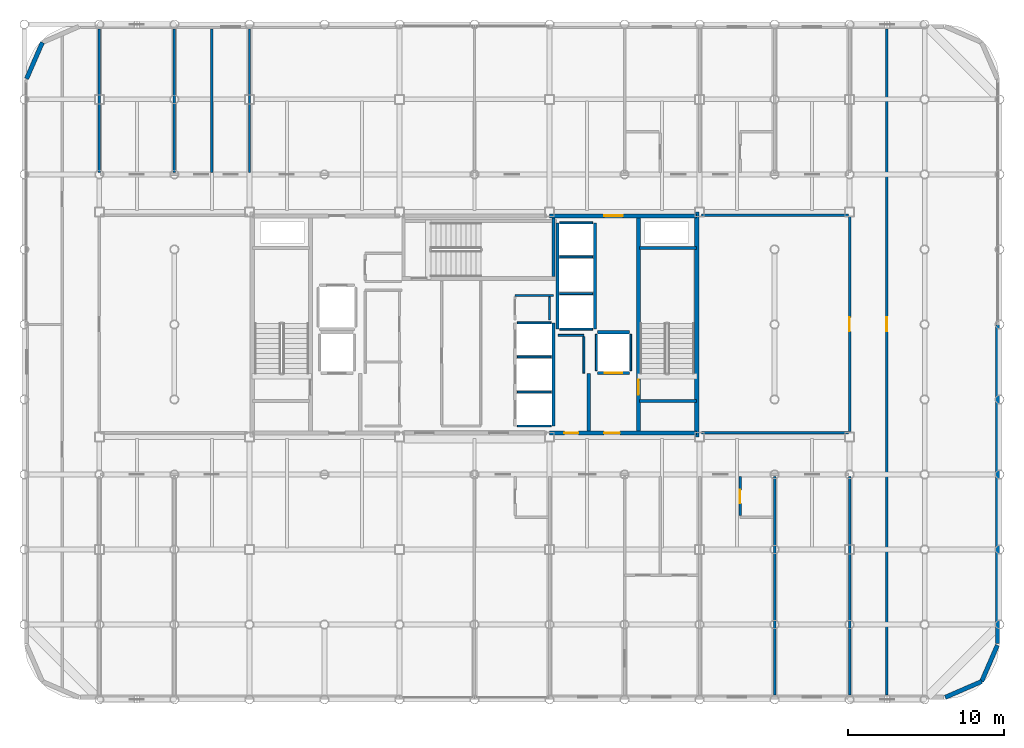
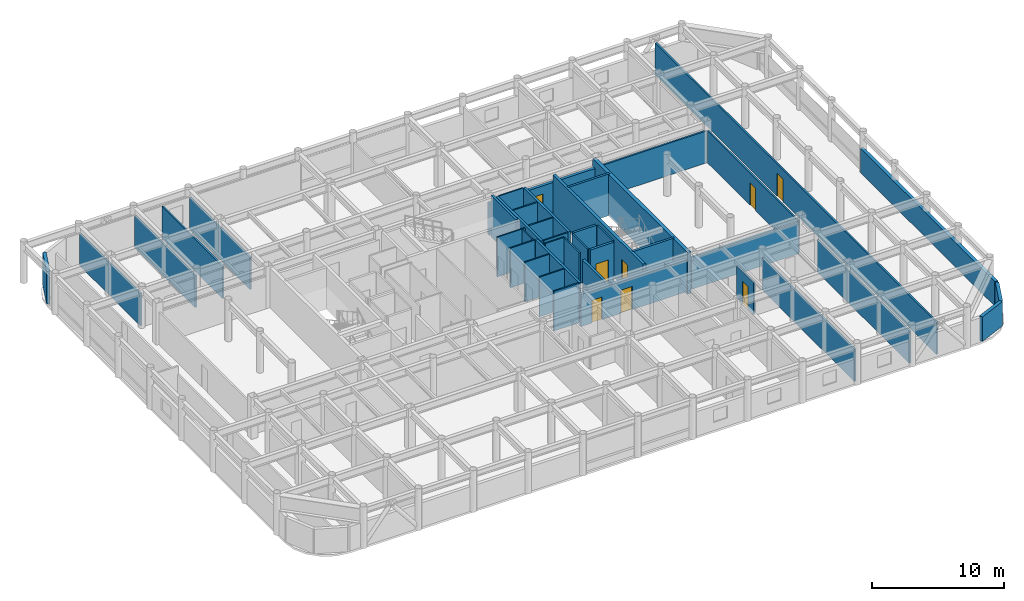
# One storey, part 19 of 22: 42 walls, 8 doors, 8 openings.
"""IFC4 building model written with IfcOpenShell, lengths in metres."""

from ifc_helpers import new_model, si_unit, direction, frame, frame_2d, origin, place, context, subcontext, project, spatial, rectangle, extrude, material, layer, layer_set, type_object, element, fill, save


model = new_model("IFC4")

# Units and contexts
model_context = context("Model", 3, precision=1e-05, world=origin(), true_north=direction((0.0, 1.0)))
body_context = subcontext(model_context, "Body", "Model", "MODEL_VIEW")
ifc_project = project(units=[si_unit("LENGTHUNIT", "METRE"), si_unit("AREAUNIT", "SQUARE_METRE"), si_unit("VOLUMEUNIT", "CUBIC_METRE"), si_unit("PLANEANGLEUNIT", "RADIAN"), si_unit("MASSUNIT", "GRAM", prefix="KILO")], contexts=[model_context])

# Site, building, storey
site_placement = place(None, origin())
site = spatial("IfcSite", under=ifc_project, at=site_placement, CompositionType="ELEMENT")
building_placement = place(site_placement, origin())
building = spatial("IfcBuilding", under=site, at=building_placement, Name="Kallvorn Hotel Tower", CompositionType="ELEMENT")
storey_placement = place(building_placement, frame((0.0, 0.0, 203.050048828125)))
storey = spatial("IfcBuildingStorey", under=building, at=storey_placement, Name="L50", CompositionType="ELEMENT", Elevation=203.050048828125)

# Wall
ifc_material_1 = material(Name="Concrete C50/60", Category="concrete")
ifc_layer_1 = layer(ifc_material_1, 0.300048828125)
ifc_layer_set_1 = layer_set([ifc_layer_1], Name="WL_CORE_300")
wall_type_1 = type_object("IfcWallType", Name="WL_CORE_300", PredefinedType="SHEAR", material=ifc_layer_set_1)
wall_1_placement = place(storey_placement, frame((14.215087890625, -7.199951171875, -0.179931640625), z_axis=(0.0, 0.0, 1.0), x_axis=(0.0, 1.0, 0.0)))
element("IfcWall", 1, at=wall_1_placement, inside=storey, type_object=wall_type_1, Name="L50 Core East Shear Wall", PredefinedType="SHEAR", context=body_context, shape_type="SweptSolid", body=[
    extrude(rectangle(XDim=14.39990234375, YDim=0.300048828125, at=frame_2d((7.199951171875, 0.0))), origin(), (0.0, 0.0, 1.0), 3.849853515625),
])

# Wall, opening, door
ifc_material_2 = material(Name="Fire-rated double-layer acoustic gypsum drywall EI 60")
ifc_layer_2 = layer(ifc_material_2, 0.159912109375)
ifc_layer_set_2 = layer_set([ifc_layer_2], Name="WL_DEMISE_160")
wall_type_2 = type_object("IfcWallType", Name="WL_DEMISE_160", PredefinedType="PARTITIONING", material=ifc_layer_set_2)
wall_2_placement = place(storey_placement, frame((16.989990234375, -12.235107421875, 0.0), z_axis=(0.0, 0.0, 1.0), x_axis=(0.0, 1.0, 0.0)))
wall_2 = element("IfcWall", 2, at=wall_2_placement, inside=storey, type_object=wall_type_2, Name="L50 Suite 5003 Superior Twin Room Partition", PredefinedType="PARTITIONING", context=body_context, shape_type="SweptSolid", body=[
    extrude(rectangle(XDim=2.51513671875, YDim=0.159912109375, at=frame_2d((1.257568359375, 0.0))), origin(), (0.0, 0.0, 1.0), 2.969970703125),
])
opening_1_placement = place(wall_2_placement, frame((0.784912109375, 0.0, 0.0)))
opening_1 = element("IfcOpeningElement", 3, at=opening_1_placement, cuts=wall_2, Name="Opening BD-I", PredefinedType="OPENING", context=body_context, shape_type="SweptSolid", body=[
    extrude(rectangle(XDim=0.860107421875, YDim=2.10009765625, at=frame_2d((0.43017578125, 1.050048828125))), frame((0.0, 0.094970703125, 0.0), z_axis=(0.0, -1.0, 0.0), x_axis=(1.0, 0.0, 0.0)), (0.0, 0.0, 1.0), 0.18994140625),
])
ifc_material_3 = material(Name="Solid-core walnut veneer fire-rated timber door leaf", Category="wood")
door_type_1 = type_object("IfcDoorType", Name="DR_BATH_860x2100", OperationType="NOTDEFINED", PredefinedType="DOOR", material=ifc_material_3)
door_1_placement = place(opening_1_placement, origin())
door_1 = element("IfcDoor", 4, at=door_1_placement, inside=storey, type_object=door_type_1, Name="L50 Suite 5003 En-Suite Bathroom Door", OperationType="SINGLE_SWING_LEFT", OverallHeight=2.10009765625, OverallWidth=0.860107421875, PredefinedType="DOOR", context=body_context, shape_type="SweptSolid", body=[
    extrude(rectangle(XDim=0.860107421875, YDim=2.10009765625, at=frame_2d((0.43017578125, 1.050048828125))), frame((0.0, 0.02490234375, 0.0), z_axis=(0.0, -1.0, 0.0), x_axis=(1.0, 0.0, 0.0)), (0.0, 0.0, 1.0), 0.050048828125),
])
fill(opening_1, door_1)

# Walls
wall_3_placement = place(storey_placement, frame((19.199951171875, -23.7099609375, 0.0), z_axis=(0.0, 0.0, 1.0), x_axis=(0.0, 1.0, 0.0)))
element("IfcWall", 5, at=wall_3_placement, inside=storey, type_object=wall_type_2, Name="L50 Suite 5003 Superior Twin Room Partition", PredefinedType="PARTITIONING", context=body_context, shape_type="SweptSolid", body=[
    extrude(rectangle(XDim=13.989990234375, YDim=0.159912109375, at=frame_2d((6.9951171875, 0.0))), origin(), (0.0, 0.0, 1.0), 2.969970703125),
])
ifc_material_4 = material(Name="Precast basalt-clad insulated concrete wall C40/50", Category="masonry")
ifc_layer_3 = layer(ifc_material_4, 0.280029296875)
ifc_layer_set_3 = layer_set([ifc_layer_3], Name="WL_EXT_LOGGIA_280")
wall_type_3 = type_object("IfcWallType", Name="WL_EXT_LOGGIA_280", PredefinedType="SOLIDWALL", material=ifc_layer_set_3)
wall_4_placement = place(storey_placement, frame((30.120849609375, -23.85791015625, 0.0), z_axis=(0.0, 0.0, 1.0), x_axis=(0.917060872934, 0.398747232384, 0.0)))
element("IfcWall", 6, at=wall_4_placement, inside=storey, type_object=wall_type_3, Name="L50 Rounded Corner Exterior Wall SE1", PredefinedType="SOLIDWALL", context=body_context, shape_type="SweptSolid", body=[
    extrude(rectangle(XDim=2.5361328125, YDim=0.280029296875, at=frame_2d((1.26806640625, 0.0))), origin(), (0.0, 0.0, 1.0), 2.27001953125),
])
wall_5_placement = place(storey_placement, frame((32.446533203125, -22.8466796875, 0.0), z_axis=(0.0, 0.0, 1.0), x_axis=(0.398792985289, 0.917040977756, 0.0)))
element("IfcWall", 7, at=wall_5_placement, inside=storey, type_object=wall_type_3, Name="L50 Rounded Corner Exterior Wall SE2", PredefinedType="SOLIDWALL", context=body_context, shape_type="SweptSolid", body=[
    extrude(rectangle(XDim=2.536376953125, YDim=0.280029296875, at=frame_2d((1.26806640625, 0.0))), origin(), (0.0, 0.0, 1.0), 2.27001953125),
])
wall_6_placement = place(storey_placement, frame((-27.646484375, 18.046630859375, 0.0), z_axis=(0.0, 0.0, 1.0), x_axis=(-0.398792985289, -0.917040977756, 0.0)))
element("IfcWall", 8, at=wall_6_placement, inside=storey, type_object=wall_type_3, Name="L50 Rounded Corner Exterior Wall NW2", PredefinedType="SOLIDWALL", context=body_context, shape_type="SweptSolid", body=[
    extrude(rectangle(XDim=2.536376953125, YDim=0.280029296875, at=frame_2d((1.26806640625, 0.0))), origin(), (0.0, 0.0, 1.0), 3.02001953125),
])
wall_7_placement = place(storey_placement, frame((33.4599609375, -20.39990234375, 0.0), z_axis=(0.0, 0.0, 1.0), x_axis=(0.0, 1.0, 0.0)))
element("IfcWall", 9, at=wall_7_placement, inside=storey, type_object=wall_type_3, Name="L50 Exterior Envelope Wall EW-L50-ES", PredefinedType="SOLIDWALL", context=body_context, shape_type="SweptSolid", body=[
    extrude(rectangle(XDim=20.3798828125, YDim=0.280029296875, at=frame_2d((10.18994140625, 0.0))), origin(), (0.0, 0.0, 1.0), 2.27001953125),
])
ifc_material_5 = material(Name="Concrete C40/50", Category="concrete")
ifc_layer_4 = layer(ifc_material_5, 0.219970703125)
ifc_layer_set_4 = layer_set([ifc_layer_4], Name="WL_FFL_220")
wall_type_4 = type_object("IfcWallType", Name="WL_FFL_220", PredefinedType="SOLIDWALL", material=ifc_layer_set_4)
wall_8_placement = place(storey_placement, frame((7.300048828125, -6.820068359375, 0.0), z_axis=(0.0, 0.0, 1.0), x_axis=(0.0, 1.0, 0.0)))
element("IfcWall", 10, at=wall_8_placement, inside=storey, type_object=wall_type_4, Name="L50 Firefighting Lobby East Divider Wall", PredefinedType="SOLIDWALL", context=body_context, shape_type="SweptSolid", body=[
    extrude(rectangle(XDim=3.670166015625, YDim=0.219970703125, at=frame_2d((1.8349609375, 0.0))), origin(), (0.0, 0.0, 1.0), 2.969970703125),
])
ifc_material_6 = material(Name="Concrete C40/50", Category="concrete")
ifc_layer_5 = layer(ifc_material_6, 0.199951171875)
ifc_layer_set_5 = layer_set([ifc_layer_5], Name="WL_HOIST_200")
wall_type_5 = type_object("IfcWallType", Name="WL_HOIST_200", PredefinedType="SOLIDWALL", material=ifc_layer_set_5)
for number, where, z_axis, x_axis, name in (
    (11, (10.550048828125, -4.89990234375, -0.179931640625), (0.0, 0.0, 1.0), (1.0, 0.0, 0.0), "L50 Stair ST2 South Wall"),
    (12, (10.550048828125, 4.89990234375, -0.179931640625), (0.0, 0.0, 1.0), (1.0, 0.0, 0.0), "L50 Stair ST2 North Wall"),
):
    element("IfcWall", number, at=place(storey_placement, frame(where, z_axis=z_axis, x_axis=x_axis)), inside=storey, type_object=wall_type_5, Name=name, PredefinedType="SOLIDWALL", context=body_context, shape_type="SweptSolid", body=[
        extrude(rectangle(XDim=3.64990234375, YDim=0.199951171875, at=frame_2d((1.824951171875, 0.0))), origin(), (0.0, 0.0, 1.0), 3.849853515625),
    ])
wall_9_placement = place(storey_placement, frame((5.06005859375, 3.080078125, -0.179931640625), z_axis=(0.0, 0.0, 1.0), x_axis=(0.0, 1.0, 0.0)))
element("IfcWall", 13, at=wall_9_placement, inside=storey, type_object=wall_type_5, Name="L50 Stair ST3 East Wall", PredefinedType="SOLIDWALL", context=body_context, shape_type="SweptSolid", body=[
    extrude(rectangle(XDim=3.739990234375, YDim=0.199951171875, at=frame_2d((1.8701171875, 0.0))), origin(), (0.0, 0.0, 1.0), 3.849853515625),
])
wall_10_placement = place(storey_placement, frame((5.050048828125, -6.5, 0.0), z_axis=(0.0, 0.0, 1.0), x_axis=(0.0, 1.0, 0.0)))
element("IfcWall", 14, at=wall_10_placement, inside=storey, type_object=wall_type_5, Name="L50 Lift Bank B3A Rear Shaft Wall", PredefinedType="SOLIDWALL", context=body_context, shape_type="SweptSolid", body=[
    extrude(rectangle(XDim=6.60009765625, YDim=0.199951171875, at=frame_2d((3.300048828125, 0.0))), origin(), (0.0, 0.0, 1.0), 3.669921875),
])
for number, where, z_axis, x_axis, name in (
    (15, (7.699951171875, -0.300048828125, 0.0), (0.0, 0.0, 1.0), (0.0, 1.0, 0.0), "L50 Lift Bank OBS Landing Wall"),
    (16, (5.300048828125, -0.300048828125, 0.0), (0.0, 0.0, 1.0), (0.0, 1.0, 0.0), "L50 Lift Bank OBS Rear Shaft Wall"),
):
    element("IfcWall", number, at=place(storey_placement, frame(where, z_axis=z_axis, x_axis=x_axis)), inside=storey, type_object=wall_type_5, Name=name, PredefinedType="SOLIDWALL", context=body_context, shape_type="SweptSolid", body=[
        extrude(rectangle(XDim=6.800048828125, YDim=0.199951171875, at=frame_2d((3.39990234375, 0.0))), origin(), (0.0, 0.0, 1.0), 3.669921875),
    ])

# Wall, opening, door
wall_11_placement = place(storey_placement, frame((7.8798828125, -3.10009765625, 0.0), z_axis=(0.0, 0.0, 1.0), x_axis=(1.0, 0.0, 0.0)))
wall_11 = element("IfcWall", 17, at=wall_11_placement, inside=storey, type_object=wall_type_5, Name="L50 FL-2 Landing Wall", PredefinedType="SOLIDWALL", context=body_context, shape_type="SweptSolid", body=[
    extrude(rectangle(XDim=2.0400390625, YDim=0.199951171875, at=frame_2d((1.02001953125, 0.0))), origin(), (0.0, 0.0, 1.0), 3.669921875),
])
opening_2_placement = place(wall_11_placement, frame((0.469970703125, 0.0, 0.0)))
opening_2 = element("IfcOpeningElement", 18, at=opening_2_placement, cuts=wall_11, Name="Opening LD-FL-2", PredefinedType="OPENING", context=body_context, shape_type="SweptSolid", body=[
    extrude(rectangle(XDim=1.10009765625, YDim=2.199951171875, at=frame_2d((0.550048828125, 1.10009765625))), frame((0.0, 0.114990234375, 0.0), z_axis=(0.0, -1.0, 0.0), x_axis=(1.0, 0.0, 0.0)), (0.0, 0.0, 1.0), 0.22998046875),
])
ifc_material_7 = material(Name="Brushed stainless-steel automatic sliding lift landing door", Category="steel")
door_type_2 = type_object("IfcDoorType", Name="LD_PASS_1100x2200", OperationType="SLIDING_TO_LEFT", PredefinedType="DOOR", material=ifc_material_7)
door_2_placement = place(opening_2_placement, origin())
door_2 = element("IfcDoor", 19, at=door_2_placement, inside=storey, type_object=door_type_2, Name="L50 Lift Landing Sliding Door LD-FL-2", OperationType="SLIDING_TO_LEFT", OverallHeight=2.199951171875, OverallWidth=1.10009765625, PredefinedType="DOOR", context=body_context, shape_type="SweptSolid", body=[
    extrude(rectangle(XDim=1.10009765625, YDim=2.199951171875, at=frame_2d((0.550048828125, 1.10009765625))), frame((0.0, 0.02490234375, 0.0), z_axis=(0.0, -1.0, 0.0), x_axis=(1.0, 0.0, 0.0)), (0.0, 0.0, 1.0), 0.050048828125),
])
fill(opening_2, door_2)

# Walls
wall_12_placement = place(storey_placement, frame((7.8798828125, -0.5, 0.0), z_axis=(0.0, 0.0, 1.0), x_axis=(1.0, 0.0, 0.0)))
element("IfcWall", 20, at=wall_12_placement, inside=storey, type_object=wall_type_5, Name="L50 FL-2 Rear Shaft Wall", PredefinedType="SOLIDWALL", context=body_context, shape_type="SweptSolid", body=[
    extrude(rectangle(XDim=2.0400390625, YDim=0.199951171875, at=frame_2d((1.02001953125, 0.0))), origin(), (0.0, 0.0, 1.0), 3.669921875),
])
ifc_material_8 = material(Name="Fire-rated double-layer acoustic gypsum drywall EI 60")
ifc_layer_6 = layer(ifc_material_8, 0.1201171875)
ifc_layer_set_6 = layer_set([ifc_layer_6], Name="WL_INT_120")
wall_type_6 = type_object("IfcWallType", Name="WL_INT_120", PredefinedType="PARTITIONING", material=ifc_layer_set_6)
for number, where, z_axis, x_axis, name in (
    (21, (2.739990234375, -6.5, 0.0), (0.0, 0.0, 1.0), (1.0, 0.0, 0.0), "L50 Lift Bank B3A South Closure Wall"),
    (22, (2.739990234375, -4.324951171875, 0.0), (0.0, 0.0, 1.0), (1.0, 0.0, 0.0), "L50 PL-09 Hoistway Divider"),
    (23, (2.739990234375, -2.074951171875, 0.0), (0.0, 0.0, 1.0), (1.0, 0.0, 0.0), "L50 PL-10 Hoistway Divider"),
    (24, (2.739990234375, 0.10009765625, 0.0), (0.0, 0.0, 1.0), (1.0, 0.0, 0.0), "L50 PL-11 Hoistway Divider"),
):
    element("IfcWall", number, at=place(storey_placement, frame(where, z_axis=z_axis, x_axis=x_axis)), inside=storey, type_object=wall_type_6, Name=name, PredefinedType="PARTITIONING", context=body_context, shape_type="SweptSolid", body=[
        extrude(rectangle(XDim=2.169921875, YDim=0.1201171875, at=frame_2d((1.0849609375, 0.0))), origin(), (0.0, 0.0, 1.0), 3.669921875),
    ])
for number, where, z_axis, x_axis, name in (
    (25, (5.43994140625, -0.300048828125, 0.0), (0.0, 0.0, 1.0), (1.0, 0.0, 0.0), "L50 Lift Bank OBS South Closure Wall"),
    (26, (5.43994140625, 1.97509765625, 0.0), (0.0, 0.0, 1.0), (1.0, 0.0, 0.0), "L50 OB-01 Hoistway Divider"),
    (27, (5.43994140625, 4.324951171875, 0.0), (0.0, 0.0, 1.0), (1.0, 0.0, 0.0), "L50 OB-02 Hoistway Divider"),
    (28, (5.43994140625, 6.5, 0.0), (0.0, 0.0, 1.0), (1.0, 0.0, 0.0), "L50 OB-03 Hoistway Divider"),
):
    element("IfcWall", number, at=place(storey_placement, frame(where, z_axis=z_axis, x_axis=x_axis)), inside=storey, type_object=wall_type_6, Name=name, PredefinedType="PARTITIONING", context=body_context, shape_type="SweptSolid", body=[
        extrude(rectangle(XDim=2.1201171875, YDim=0.1201171875, at=frame_2d((1.06005859375, 0.0))), origin(), (0.0, 0.0, 1.0), 3.669921875),
    ])
for number, where, z_axis, x_axis, name in (
    (29, (7.800048828125, -2.9599609375, 0.0), (0.0, 0.0, 1.0), (0.0, 1.0, 0.0), "L50 FL-2 West Shaft Wall"),
    (30, (10.0, -2.9599609375, 0.0), (0.0, 0.0, 1.0), (0.0, 1.0, 0.0), "L50 FL-2 East Shaft Wall"),
):
    element("IfcWall", number, at=place(storey_placement, frame(where, z_axis=z_axis, x_axis=x_axis)), inside=storey, type_object=wall_type_6, Name=name, PredefinedType="PARTITIONING", context=body_context, shape_type="SweptSolid", body=[
        extrude(rectangle(XDim=2.320068359375, YDim=0.1201171875, at=frame_2d((1.16015625, 0.0))), origin(), (0.0, 0.0, 1.0), 3.669921875),
    ])
wall_13_placement = place(storey_placement, frame((5.35009765625, -0.699951171875, 0.0), z_axis=(0.0, 0.0, 1.0), x_axis=(1.0, 0.0, 0.0)))
element("IfcWall", 31, at=wall_13_placement, inside=storey, type_object=wall_type_6, Name="L50 Core Utility and Meter Room Partition", PredefinedType="PARTITIONING", context=body_context, shape_type="SweptSolid", body=[
    extrude(rectangle(XDim=1.64990234375, YDim=0.1201171875, at=frame_2d((0.824951171875, 0.0))), origin(), (0.0, 0.0, 1.0), 3.669921875),
])
wall_14_placement = place(storey_placement, frame((2.60009765625, 1.85009765625, 0.0), z_axis=(0.0, 0.0, 1.0), x_axis=(1.0, 0.0, 0.0)))
element("IfcWall", 32, at=wall_14_placement, inside=storey, type_object=wall_type_6, Name="L50 East Core Ice Pantry Partition", PredefinedType="PARTITIONING", context=body_context, shape_type="SweptSolid", body=[
    extrude(rectangle(XDim=2.449951171875, YDim=0.1201171875, at=frame_2d((1.22509765625, 0.0))), origin(), (0.0, 0.0, 1.0), 3.669921875),
])
wall_15_placement = place(storey_placement, frame((4.800048828125, 0.300048828125, 0.0), z_axis=(0.0, 0.0, 1.0), x_axis=(0.0, 1.0, 0.0)))
element("IfcWall", 33, at=wall_15_placement, inside=storey, type_object=wall_type_6, Name="L50 East Core Ice Pantry Partition", PredefinedType="PARTITIONING", context=body_context, shape_type="SweptSolid", body=[
    extrude(rectangle(XDim=1.46484375, YDim=0.1201171875, at=frame_2d((0.732421875, 0.0))), origin(), (0.0, 0.0, 1.0), 3.669921875),
])
wall_16_placement = place(storey_placement, frame((7.0, -3.110107421875, 0.0), z_axis=(0.0, 0.0, 1.0), x_axis=(0.0, 1.0, 0.0)))
element("IfcWall", 34, at=wall_16_placement, inside=storey, type_object=wall_type_6, Name="L50 Core Utility and Meter Room Partition", PredefinedType="PARTITIONING", context=body_context, shape_type="SweptSolid", body=[
    extrude(rectangle(XDim=2.3251953125, YDim=0.1201171875, at=frame_2d((1.16259765625, 0.0))), origin(), (0.0, 0.0, 1.0), 3.669921875),
])
ifc_material_9 = material(Name="Fire-rated double-layer acoustic gypsum drywall EI 60")
ifc_layer_7 = layer(ifc_material_9, 0.14990234375)
ifc_layer_set_7 = layer_set([ifc_layer_7], Name="WL_PART_150")
wall_type_7 = type_object("IfcWallType", Name="WL_PART_150", PredefinedType="PARTITIONING", material=ifc_layer_set_7)
for number, where, z_axis, x_axis, name in (
    (35, (14.52001953125, -6.919921875, 0.0), (0.0, 0.0, 1.0), (1.0, 0.0, 0.0), "L50 L50 High-Zone Inner East Club Gallery Partition"),
    (36, (14.52001953125, 6.97998046875, 0.0), (0.0, 0.0, 1.0), (1.0, 0.0, 0.0), "L50 L50 High-Zone Inner East Club Gallery Partition"),
):
    element("IfcWall", number, at=place(storey_placement, frame(where, z_axis=z_axis, x_axis=x_axis)), inside=storey, type_object=wall_type_7, Name=name, PredefinedType="PARTITIONING", context=body_context, shape_type="SweptSolid", body=[
        extrude(rectangle(XDim=9.39990234375, YDim=0.14990234375, at=frame_2d((4.699951171875, 0.0))), origin(), (0.0, 0.0, 1.0), 2.969970703125),
    ])
for number, where, z_axis, x_axis, name in (
    (37, (-24.0, 9.719970703125, 0.0), (0.0, 0.0, 1.0), (0.0, 1.0, 0.0), "L50 L50 High-Zone North-West Reading Salon Partition"),
    (38, (-19.199951171875, 9.719970703125, 0.0), (0.0, 0.0, 1.0), (0.0, 1.0, 0.0), "L50 Housekeeping and Linen Room Partition"),
    (39, (-16.800048828125, 9.719970703125, 0.0), (0.0, 0.0, 1.0), (0.0, 1.0, 0.0), "L50 Guest Tea and Refreshment Bar Partition"),
    (40, (-14.39990234375, 9.719970703125, 0.0), (0.0, 0.0, 1.0), (0.0, 1.0, 0.0), "L50 Guest Tea and Refreshment Bar Partition"),
):
    element("IfcWall", number, at=place(storey_placement, frame(where, z_axis=z_axis, x_axis=x_axis)), inside=storey, type_object=wall_type_7, Name=name, PredefinedType="PARTITIONING", context=body_context, shape_type="SweptSolid", body=[
        extrude(rectangle(XDim=9.18994140625, YDim=0.14990234375, at=frame_2d((4.594970703125, 0.0))), origin(), (0.0, 0.0, 1.0), 2.969970703125),
    ])
wall_17_placement = place(storey_placement, frame((24.0, -23.7099609375, 0.0), z_axis=(0.0, 0.0, 1.0), x_axis=(0.0, 1.0, 0.0)))
element("IfcWall", 41, at=wall_17_placement, inside=storey, type_object=wall_type_7, Name="L50 L50 High-Zone South-East Wine Bar Partition", PredefinedType="PARTITIONING", context=body_context, shape_type="SweptSolid", body=[
    extrude(rectangle(XDim=13.989990234375, YDim=0.14990234375, at=frame_2d((6.9951171875, 0.0))), origin(), (0.0, 0.0, 1.0), 2.969970703125),
])

# Wall, opening, door
wall_18_placement = place(storey_placement, frame((24.0, -6.8349609375, 0.0), z_axis=(0.0, 0.0, 1.0), x_axis=(0.0, 1.0, 0.0)))
wall_18 = element("IfcWall", 42, at=wall_18_placement, inside=storey, type_object=wall_type_7, Name="L50 L50 High-Zone Inner East Club Gallery Partition", PredefinedType="PARTITIONING", context=body_context, shape_type="SweptSolid", body=[
    extrude(rectangle(XDim=13.72998046875, YDim=0.14990234375, at=frame_2d((6.864990234375, 0.0))), origin(), (0.0, 0.0, 1.0), 2.969970703125),
])
opening_3_placement = place(wall_18_placement, frame((6.385009765625, 0.0, 0.0)))
opening_3 = element("IfcOpeningElement", 43, at=opening_3_placement, cuts=wall_18, Name="Opening SVD1", PredefinedType="OPENING", context=body_context, shape_type="SweptSolid", body=[
    extrude(rectangle(XDim=0.89990234375, YDim=2.10009765625, at=frame_2d((0.449951171875, 1.050048828125))), frame((0.0, 0.08984375, 0.0), z_axis=(0.0, -1.0, 0.0), x_axis=(1.0, 0.0, 0.0)), (0.0, 0.0, 1.0), 0.179931640625),
])
ifc_material_10 = material(Name="Galvanised painted steel fire-rated door assembly", Category="steel")
door_type_3 = type_object("IfcDoorType", Name="DR_SERV_900x2100", OperationType="NOTDEFINED", PredefinedType="DOOR", material=ifc_material_10)
door_3_placement = place(opening_3_placement, origin())
door_3 = element("IfcDoor", 44, at=door_3_placement, inside=storey, type_object=door_type_3, Name="L50 L50 High-Zone Inner East Club Gallery Door", OperationType="SINGLE_SWING_LEFT", OverallHeight=2.10009765625, OverallWidth=0.89990234375, PredefinedType="DOOR", context=body_context, shape_type="SweptSolid", body=[
    extrude(rectangle(XDim=0.89990234375, YDim=2.10009765625, at=frame_2d((0.449951171875, 1.050048828125))), frame((0.0, 0.02490234375, 0.0), z_axis=(0.0, -1.0, 0.0), x_axis=(1.0, 0.0, 0.0)), (0.0, 0.0, 1.0), 0.050048828125),
])
fill(opening_3, door_3)

wall_19_placement = place(storey_placement, frame((26.3798828125, -23.7099609375, 0.0), z_axis=(0.0, 0.0, 1.0), x_axis=(0.0, 1.0, 0.0)))
wall_19 = element("IfcWall", 45, at=wall_19_placement, inside=storey, type_object=wall_type_7, Name="L50 L50 Outer East Sky Observatory Salon Partition", PredefinedType="PARTITIONING", context=body_context, shape_type="SweptSolid", body=[
    extrude(rectangle(XDim=42.619873046875, YDim=0.14990234375, at=frame_2d((21.31005859375, 0.0))), origin(), (0.0, 0.0, 1.0), 2.969970703125),
])
opening_4_placement = place(wall_19_placement, frame((23.260009765625, 0.0, 0.0)))
opening_4 = element("IfcOpeningElement", 46, at=opening_4_placement, cuts=wall_19, Name="Opening SVD1", PredefinedType="OPENING", context=body_context, shape_type="SweptSolid", body=[
    extrude(rectangle(XDim=0.89990234375, YDim=2.10009765625, at=frame_2d((0.449951171875, 1.050048828125))), frame((0.0, 0.08984375, 0.0), z_axis=(0.0, -1.0, 0.0), x_axis=(1.0, 0.0, 0.0)), (0.0, 0.0, 1.0), 0.179931640625),
])
door_4_placement = place(opening_4_placement, origin())
door_4 = element("IfcDoor", 47, at=door_4_placement, inside=storey, type_object=door_type_3, Name="L50 L50 Outer East Sky Observatory Salon Door", OperationType="SINGLE_SWING_LEFT", OverallHeight=2.10009765625, OverallWidth=0.89990234375, PredefinedType="DOOR", context=body_context, shape_type="SweptSolid", body=[
    extrude(rectangle(XDim=0.89990234375, YDim=2.10009765625, at=frame_2d((0.449951171875, 1.050048828125))), frame((0.0, 0.02490234375, 0.0), z_axis=(0.0, -1.0, 0.0), x_axis=(1.0, 0.0, 0.0)), (0.0, 0.0, 1.0), 0.050048828125),
])
fill(opening_4, door_4)

# Wall, openings, doors
ifc_material_11 = material(Name="Concrete C40/50", Category="concrete")
ifc_layer_8 = layer(ifc_material_11, 0.25)
ifc_layer_set_8 = layer_set([ifc_layer_8], Name="WL_SHAFT_250")
wall_type_8 = type_object("IfcWallType", Name="WL_SHAFT_250", PredefinedType="SOLIDWALL", material=ifc_layer_set_8)
wall_20_placement = place(storey_placement, frame((4.800048828125, -6.949951171875, 0.0), z_axis=(0.0, 0.0, 1.0), x_axis=(1.0, 0.0, 0.0)))
wall_20 = element("IfcWall", 48, at=wall_20_placement, inside=storey, type_object=wall_type_8, Name="L50 Core South-East Wall", PredefinedType="SOLIDWALL", context=body_context, shape_type="SweptSolid", body=[
    extrude(rectangle(XDim=9.39990234375, YDim=0.25, at=frame_2d((4.699951171875, 0.0))), origin(), (0.0, 0.0, 1.0), 2.969970703125),
])
opening_5_placement = place(wall_20_placement, frame((3.5, 0.0, 0.0)))
opening_5 = element("IfcOpeningElement", 49, at=opening_5_placement, cuts=wall_20, Name="Opening FD1", PredefinedType="OPENING", context=body_context, shape_type="SweptSolid", body=[
    extrude(rectangle(XDim=1.0, YDim=2.14990234375, at=frame_2d((0.5, 1.074951171875))), frame((0.0, 0.139892578125, 0.0), z_axis=(0.0, -1.0, 0.0), x_axis=(1.0, 0.0, 0.0)), (0.0, 0.0, 1.0), 0.280029296875),
])
opening_6_placement = place(wall_20_placement, frame((0.949951171875, 0.0, 0.0)))
opening_6 = element("IfcOpeningElement", 50, at=opening_6_placement, cuts=wall_20, Name="Opening SVD1", PredefinedType="OPENING", context=body_context, shape_type="SweptSolid", body=[
    extrude(rectangle(XDim=0.89990234375, YDim=2.10009765625, at=frame_2d((0.449951171875, 1.050048828125))), frame((0.0, 0.139892578125, 0.0), z_axis=(0.0, -1.0, 0.0), x_axis=(1.0, 0.0, 0.0)), (0.0, 0.0, 1.0), 0.280029296875),
])
ifc_material_12 = material(Name="Galvanised painted steel fire-rated door assembly", Category="steel")
door_type_4 = type_object("IfcDoorType", Name="DR_FFL_1000x2150", OperationType="NOTDEFINED", PredefinedType="DOOR", material=ifc_material_12)
door_5_placement = place(opening_5_placement, origin())
door_5 = element("IfcDoor", 51, at=door_5_placement, inside=storey, type_object=door_type_4, Name="L50 Firefighting Lobby East Door", OperationType="SINGLE_SWING_LEFT", OverallHeight=2.14990234375, OverallWidth=1.0, PredefinedType="DOOR", context=body_context, shape_type="SweptSolid", body=[
    extrude(rectangle(XDim=1.0, YDim=2.14990234375, at=frame_2d((0.5, 1.074951171875))), frame((0.0, 0.02490234375, 0.0), z_axis=(0.0, -1.0, 0.0), x_axis=(1.0, 0.0, 0.0)), (0.0, 0.0, 1.0), 0.050048828125),
])
fill(opening_5, door_5)
door_6_placement = place(opening_6_placement, origin())
door_6 = element("IfcDoor", 52, at=door_6_placement, inside=storey, type_object=door_type_3, Name="L50 Core Utility and Meter Room Door", OperationType="SINGLE_SWING_RIGHT", OverallHeight=2.10009765625, OverallWidth=0.89990234375, PredefinedType="DOOR", context=body_context, shape_type="SweptSolid", body=[
    extrude(rectangle(XDim=0.89990234375, YDim=2.10009765625, at=frame_2d((0.449951171875, 1.050048828125))), frame((0.0, 0.02490234375, 0.0), z_axis=(0.0, -1.0, 0.0), x_axis=(1.0, 0.0, 0.0)), (0.0, 0.0, 1.0), 0.050048828125),
])
fill(opening_6, door_6)

# Wall, opening, door
wall_21_placement = place(storey_placement, frame((4.800048828125, 6.949951171875, 0.0), z_axis=(0.0, 0.0, 1.0), x_axis=(1.0, 0.0, 0.0)))
wall_21 = element("IfcWall", 53, at=wall_21_placement, inside=storey, type_object=wall_type_8, Name="L50 Core North-East Wall", PredefinedType="SOLIDWALL", context=body_context, shape_type="SweptSolid", body=[
    extrude(rectangle(XDim=9.39990234375, YDim=0.25, at=frame_2d((4.699951171875, 0.0))), origin(), (0.0, 0.0, 1.0), 2.969970703125),
])
opening_7_placement = place(wall_21_placement, frame((3.5, 0.0, 0.0)))
opening_7 = element("IfcOpeningElement", 54, at=opening_7_placement, cuts=wall_21, Name="Opening FD2", PredefinedType="OPENING", context=body_context, shape_type="SweptSolid", body=[
    extrude(rectangle(XDim=1.199951171875, YDim=2.199951171875, at=frame_2d((0.60009765625, 1.10009765625))), frame((0.0, 0.139892578125, 0.0), z_axis=(0.0, -1.0, 0.0), x_axis=(1.0, 0.0, 0.0)), (0.0, 0.0, 1.0), 0.280029296875),
])
ifc_material_13 = material(Name="Galvanised painted steel fire-rated door assembly", Category="steel")
door_type_5 = type_object("IfcDoorType", Name="DR_LOBBY_1200x2200", OperationType="DOUBLE_DOOR_SINGLE_SWING", PredefinedType="DOOR", material=ifc_material_13)
door_7_placement = place(opening_7_placement, origin())
door_7 = element("IfcDoor", 55, at=door_7_placement, inside=storey, type_object=door_type_5, Name="L50 Observatory Shuttle Lobby Door", OperationType="DOUBLE_DOOR_SINGLE_SWING", OverallHeight=2.199951171875, OverallWidth=1.199951171875, PredefinedType="DOOR", context=body_context, shape_type="SweptSolid", body=[
    extrude(rectangle(XDim=1.199951171875, YDim=2.199951171875, at=frame_2d((0.60009765625, 1.10009765625))), frame((0.0, 0.02490234375, 0.0), z_axis=(0.0, -1.0, 0.0), x_axis=(1.0, 0.0, 0.0)), (0.0, 0.0, 1.0), 0.050048828125),
])
fill(opening_7, door_7)

wall_22_placement = place(storey_placement, frame((10.5, -6.820068359375, -0.179931640625), z_axis=(0.0, 0.0, 1.0), x_axis=(0.0, 1.0, 0.0)))
wall_22 = element("IfcWall", 56, at=wall_22_placement, inside=storey, type_object=wall_type_8, Name="L50 Stair ST2 Shaft Wall", PredefinedType="SOLIDWALL", context=body_context, shape_type="SweptSolid", body=[
    extrude(rectangle(XDim=13.64013671875, YDim=0.25, at=frame_2d((6.820068359375, 0.0))), origin(), (0.0, 0.0, 1.0), 3.849853515625),
])
opening_8_placement = place(wall_22_placement, frame((2.320068359375, 0.0, 0.179931640625)))
opening_8 = element("IfcOpeningElement", 57, at=opening_8_placement, cuts=wall_22, Name="Opening SD1", PredefinedType="OPENING", context=body_context, shape_type="SweptSolid", body=[
    extrude(rectangle(XDim=0.949951171875, YDim=2.14990234375, at=frame_2d((0.47509765625, 1.074951171875))), frame((0.0, 0.139892578125, 0.0), z_axis=(0.0, -1.0, 0.0), x_axis=(1.0, 0.0, 0.0)), (0.0, 0.0, 1.0), 0.280029296875),
])
ifc_material_14 = material(Name="Galvanised painted steel fire-rated door assembly", Category="steel")
door_type_6 = type_object("IfcDoorType", Name="DR_STAIR_950x2150", OperationType="NOTDEFINED", PredefinedType="DOOR", material=ifc_material_14)
door_8_placement = place(opening_8_placement, origin())
door_8 = element("IfcDoor", 58, at=door_8_placement, inside=storey, type_object=door_type_6, Name="L50 Exit Stair ST2 Fire Door", OperationType="SINGLE_SWING_RIGHT", OverallHeight=2.14990234375, OverallWidth=0.949951171875, PredefinedType="DOOR", context=body_context, shape_type="SweptSolid", body=[
    extrude(rectangle(XDim=0.949951171875, YDim=2.14990234375, at=frame_2d((0.47509765625, 1.074951171875))), frame((0.0, 0.02490234375, 0.0), z_axis=(0.0, -1.0, 0.0), x_axis=(1.0, 0.0, 0.0)), (0.0, 0.0, 1.0), 0.050048828125),
])
fill(opening_8, door_8)

save(model, "model.ifc")
